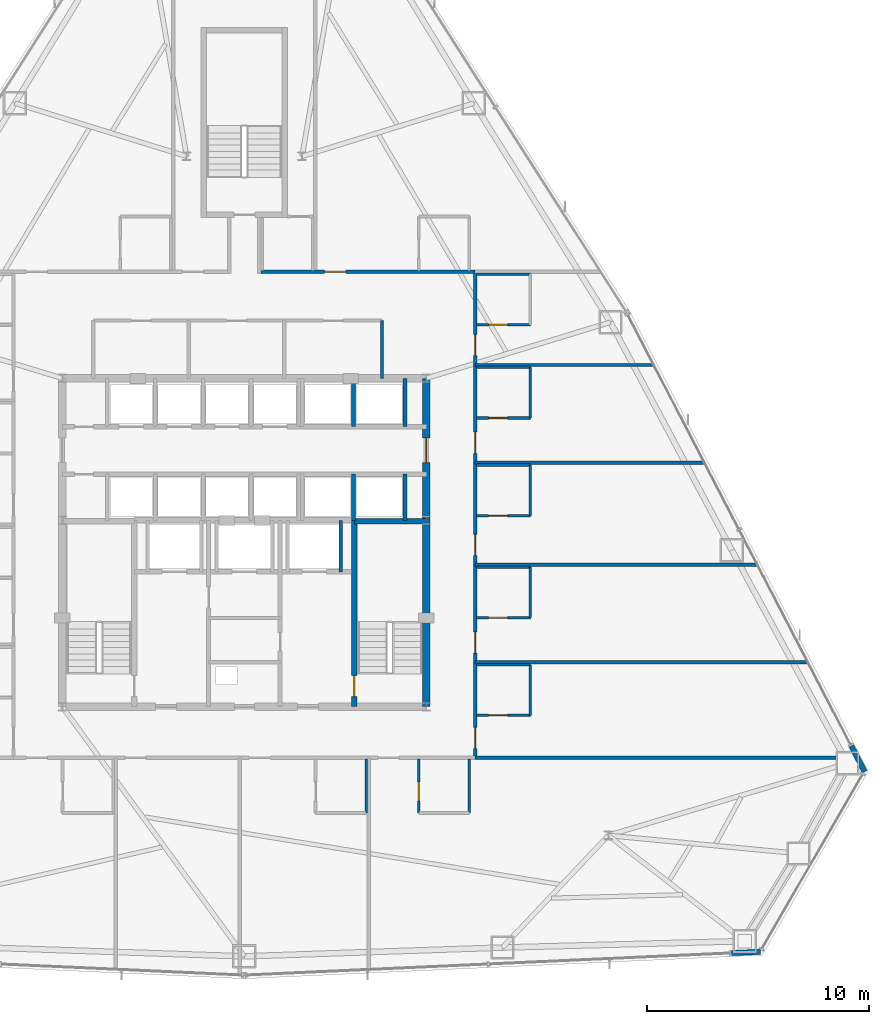
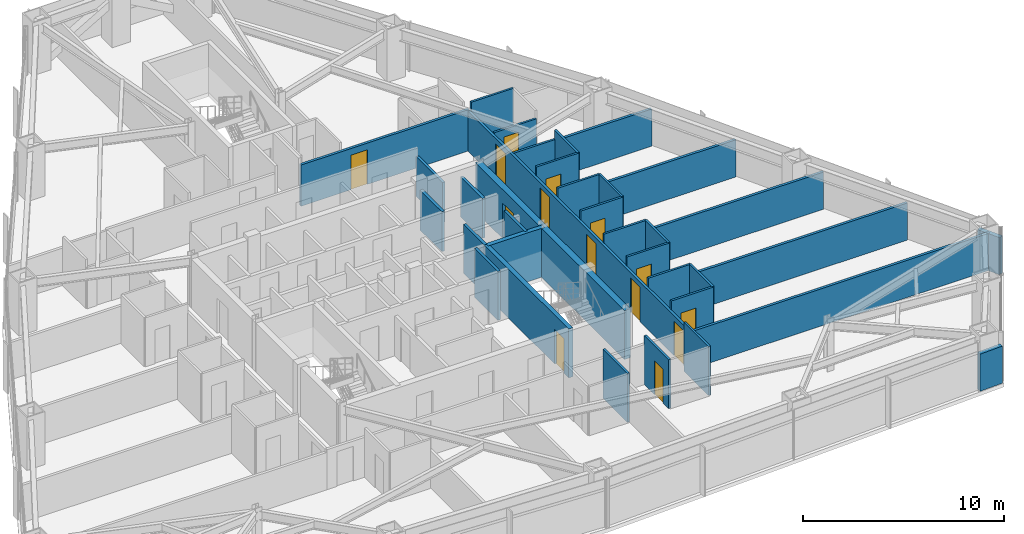
# One storey, part 11 of 13: 35 walls, 14 doors, 14 openings.
"""IFC4 building model written with IfcOpenShell, lengths in metres."""

from ifc_helpers import new_model, si_unit, direction, frame, frame_2d, origin, place, context, subcontext, project, spatial, rectangle, extrude, material, layer, layer_set, type_object, element, fill, save


model = new_model("IFC4")

# Units and contexts
model_context = context("Model", 3, precision=1e-05, world=origin(), true_north=direction((0.0, 1.0)))
body_context = subcontext(model_context, "Body", "Model", "MODEL_VIEW")
ifc_project = project(units=[si_unit("LENGTHUNIT", "METRE"), si_unit("AREAUNIT", "SQUARE_METRE"), si_unit("VOLUMEUNIT", "CUBIC_METRE"), si_unit("PLANEANGLEUNIT", "RADIAN"), si_unit("MASSUNIT", "GRAM", prefix="KILO")], contexts=[model_context])

# Site, building, storey
site_placement = place(None, origin())
site = spatial("IfcSite", under=ifc_project, at=site_placement, CompositionType="ELEMENT")
building_placement = place(site_placement, origin())
building = spatial("IfcBuilding", under=site, at=building_placement, Name="Varakhsha Concourse Tower", CompositionType="ELEMENT")
storey_placement = place(building_placement, frame((0.0, 0.0, 86.199951171875)))
storey = spatial("IfcBuildingStorey", under=building, at=storey_placement, Name="L24", CompositionType="ELEMENT", Elevation=86.199951171875)

# Wall, opening, door
ifc_material_1 = material(Name="Concrete fc 65 MPa", Category="concrete")
ifc_layer_1 = layer(ifc_material_1, 0.35009765625, Name="WL-CORE-350")
ifc_layer_set_1 = layer_set([ifc_layer_1], Name="Concrete fc 65 MPa")
wall_type_1 = type_object("IfcWallType", Name="WL-CORE-350", PredefinedType="SHEAR", material=ifc_layer_set_1)
wall_1_placement = place(storey_placement, frame((48.199951171875, 16.39990234375, 0.0), z_axis=(0.0, 0.0, 1.0), x_axis=(0.0, 1.0, 0.0)))
wall_1 = element("IfcWall", 1, at=wall_1_placement, inside=storey, type_object=wall_type_1, Name="L24 Wall CWALL-E-L24", PredefinedType="SHEAR", context=body_context, shape_type="SweptSolid", body=[
    extrude(rectangle(XDim=14.800048828125, YDim=0.35009765625, at=frame_2d((7.39990234375, 0.0))), origin(), (0.0, 0.0, 1.0), 2.969970703125),
])
opening_1_placement = place(wall_1_placement, frame((11.0, 0.0, 0.0)))
opening_1 = element("IfcOpeningElement", 2, at=opening_1_placement, cuts=wall_1, Name="Opening DL-01", PredefinedType="OPENING", context=body_context, shape_type="SweptSolid", body=[
    extrude(rectangle(XDim=1.10009765625, YDim=2.14990234375, at=frame_2d((0.550048828125, 1.074951171875))), frame((0.0, 0.18505859375, 0.0), z_axis=(0.0, -1.0, 0.0), x_axis=(1.0, 0.0, 0.0)), (0.0, 0.0, 1.0), 0.3701171875),
])
ifc_material_2 = material(Name="Anodised Bronze Architectural Aluminium AA 6063-T6", Category="aluminium")
door_type_1 = type_object("IfcDoorType", Name="DR-LOB-1100", OperationType="NOTDEFINED", PredefinedType="DOOR", material=ifc_material_2)
door_1_placement = place(opening_1_placement, origin())
door_1 = element("IfcDoor", 3, at=door_1_placement, inside=storey, type_object=door_type_1, Name="L24 Lift Lobby East Concourse Door", OperationType="SINGLE_SWING_RIGHT", OverallHeight=2.14990234375, OverallWidth=1.10009765625, PredefinedType="DOOR", context=body_context, shape_type="SweptSolid", body=[
    extrude(rectangle(XDim=1.10009765625, YDim=2.14990234375, at=frame_2d((0.550048828125, 1.074951171875))), frame((0.0, 0.02490234375, 0.0), z_axis=(0.0, -1.0, 0.0), x_axis=(1.0, 0.0, 0.0)), (0.0, 0.0, 1.0), 0.050048828125),
])
fill(opening_1, door_1)

# Walls
ifc_material_3 = material(Name="Concrete fc 45 MPa", Category="concrete")
ifc_layer_2 = layer(ifc_material_3, 0.239990234375, Name="WL-EXT-CRN-240")
ifc_layer_set_2 = layer_set([ifc_layer_2], Name="Concrete fc 45 MPa")
wall_type_2 = type_object("IfcWallType", Name="WL-EXT-CRN-240", PredefinedType="SHEAR", material=ifc_layer_set_2)
wall_2_placement = place(storey_placement, frame((61.94921875, 5.297119140625, 0.0), z_axis=(0.0, 0.0, 1.0), x_axis=(0.998967392838, 0.045432896092, 0.0)))
element("IfcWall", 4, at=wall_2_placement, inside=storey, type_object=wall_type_2, Name="L24 Wind-Corner Shoulder Wall F6", PredefinedType="SHEAR", context=body_context, shape_type="SweptSolid", body=[
    extrude(rectangle(XDim=1.316650390625, YDim=0.239990234375, at=frame_2d((0.658203125, 0.0))), origin(), (0.0, 0.0, 1.0), 2.2529296875),
])
wall_3_placement = place(storey_placement, frame((67.951416015625, 13.47314453125, 0.0), z_axis=(0.0, 0.0, 1.0), x_axis=(-0.460138651144, 0.887847071135, 0.0)))
element("IfcWall", 5, at=wall_3_placement, inside=storey, type_object=wall_type_2, Name="L24 Wind-Corner Shoulder Wall F8", PredefinedType="SHEAR", context=body_context, shape_type="SweptSolid", body=[
    extrude(rectangle(XDim=1.3173828125, YDim=0.239990234375, at=frame_2d((0.65869140625, 0.0))), origin(), (0.0, 0.0, 1.0), 2.2529296875),
])
ifc_material_4 = material(Name="Acoustic Gypsum Board Partition Assembly", Category="gypsum")
ifc_layer_3 = layer(ifc_material_4, 0.1201171875, Name="WL-PART-120")
ifc_layer_set_3 = layer_set([ifc_layer_3], Name="Acoustic Gypsum Board Partition Assembly")
wall_type_3 = type_object("IfcWallType", Name="WL-PART-120", PredefinedType="PARTITIONING", material=ifc_layer_set_3)
wall_4_placement = place(storey_placement, frame((45.489990234375, 11.610107421875, 0.0), z_axis=(0.0, 0.0, 1.0), x_axis=(0.0, 1.0, 0.0)))
element("IfcWall", 6, at=wall_4_placement, inside=storey, type_object=wall_type_3, Name="L24 Wall ENSW-E-L24-H03", PredefinedType="PARTITIONING", context=body_context, shape_type="SweptSolid", body=[
    extrude(rectangle(XDim=2.429931640625, YDim=0.1201171875, at=frame_2d((1.21484375, 0.0))), origin(), (0.0, 0.0, 1.0), 2.969970703125),
])

# Wall, opening, door
wall_5_placement = place(storey_placement, frame((47.860107421875, 11.610107421875, 0.0), z_axis=(0.0, 0.0, 1.0), x_axis=(0.0, 1.0, 0.0)))
wall_5 = element("IfcWall", 7, at=wall_5_placement, inside=storey, type_object=wall_type_3, Name="L24 Wall ENSW-W-L24-H04", PredefinedType="PARTITIONING", context=body_context, shape_type="SweptSolid", body=[
    extrude(rectangle(XDim=2.429931640625, YDim=0.1201171875, at=frame_2d((1.21484375, 0.0))), origin(), (0.0, 0.0, 1.0), 2.969970703125),
])
opening_2_placement = place(wall_5_placement, frame((0.550048828125, 0.0, 0.0)))
opening_2 = element("IfcOpeningElement", 8, at=opening_2_placement, cuts=wall_5, Name="Opening DI-01", PredefinedType="OPENING", context=body_context, shape_type="SweptSolid", body=[
    extrude(rectangle(XDim=0.85009765625, YDim=2.050048828125, at=frame_2d((0.425048828125, 1.02490234375))), frame((0.0, 0.070068359375, 0.0), z_axis=(0.0, -1.0, 0.0), x_axis=(1.0, 0.0, 0.0)), (0.0, 0.0, 1.0), 0.14013671875),
])
ifc_material_5 = material(Name="Architectural Walnut Acoustic Timber Door", Category="wood")
door_type_2 = type_object("IfcDoorType", Name="DR-INT-850", OperationType="NOTDEFINED", PredefinedType="DOOR", material=ifc_material_5)
door_2_placement = place(opening_2_placement, origin())
door_2 = element("IfcDoor", 9, at=door_2_placement, inside=storey, type_object=door_type_2, Name="L24 En-suite Bathroom Door L24-H04", OperationType="SINGLE_SWING_RIGHT", OverallHeight=2.050048828125, OverallWidth=0.85009765625, PredefinedType="DOOR", context=body_context, shape_type="SweptSolid", body=[
    extrude(rectangle(XDim=0.85009765625, YDim=2.050048828125, at=frame_2d((0.425048828125, 1.02490234375))), frame((0.0, 0.02490234375, 0.0), z_axis=(0.0, -1.0, 0.0), x_axis=(1.0, 0.0, 0.0)), (0.0, 0.0, 1.0), 0.050048828125),
])
fill(opening_2, door_2)

# Walls
wall_6_placement = place(storey_placement, frame((50.139892578125, 11.610107421875, 0.0), z_axis=(0.0, 0.0, 1.0), x_axis=(0.0, 1.0, 0.0)))
element("IfcWall", 10, at=wall_6_placement, inside=storey, type_object=wall_type_3, Name="L24 Wall ENSW-E-L24-H04", PredefinedType="PARTITIONING", context=body_context, shape_type="SweptSolid", body=[
    extrude(rectangle(XDim=2.429931640625, YDim=0.1201171875, at=frame_2d((1.21484375, 0.0))), origin(), (0.0, 0.0, 1.0), 2.969970703125),
])
wall_7_placement = place(storey_placement, frame((52.889892578125, 16.010009765625, 0.0), z_axis=(0.0, 0.0, 1.0), x_axis=(0.0, 1.0, 0.0)))
element("IfcWall", 11, at=wall_7_placement, inside=storey, type_object=wall_type_3, Name="L24 Wall ENSW-E-L24-H09", PredefinedType="PARTITIONING", context=body_context, shape_type="SweptSolid", body=[
    extrude(rectangle(XDim=2.280029296875, YDim=0.1201171875, at=frame_2d((1.14013671875, 0.0))), origin(), (0.0, 0.0, 1.0), 2.969970703125),
])

# Wall, opening, door
wall_8_placement = place(storey_placement, frame((50.4599609375, 16.010009765625, 0.0), z_axis=(0.0, 0.0, 1.0), x_axis=(1.0, 0.0, 0.0)))
wall_8 = element("IfcWall", 12, at=wall_8_placement, inside=storey, type_object=wall_type_3, Name="L24 Wall ENSW-S-L24-H09", PredefinedType="PARTITIONING", context=body_context, shape_type="SweptSolid", body=[
    extrude(rectangle(XDim=2.429931640625, YDim=0.1201171875, at=frame_2d((1.21484375, 0.0))), origin(), (0.0, 0.0, 1.0), 2.969970703125),
])
opening_3_placement = place(wall_8_placement, frame((0.550048828125, 0.0, 0.0)))
opening_3 = element("IfcOpeningElement", 13, at=opening_3_placement, cuts=wall_8, Name="Opening DI-01", PredefinedType="OPENING", context=body_context, shape_type="SweptSolid", body=[
    extrude(rectangle(XDim=0.85009765625, YDim=2.050048828125, at=frame_2d((0.425048828125, 1.02490234375))), frame((0.0, 0.070068359375, 0.0), z_axis=(0.0, -1.0, 0.0), x_axis=(1.0, 0.0, 0.0)), (0.0, 0.0, 1.0), 0.14013671875),
])
door_3_placement = place(opening_3_placement, origin())
door_3 = element("IfcDoor", 14, at=door_3_placement, inside=storey, type_object=door_type_2, Name="L24 En-suite Bathroom Door L24-H09", OperationType="SINGLE_SWING_RIGHT", OverallHeight=2.050048828125, OverallWidth=0.85009765625, PredefinedType="DOOR", context=body_context, shape_type="SweptSolid", body=[
    extrude(rectangle(XDim=0.85009765625, YDim=2.050048828125, at=frame_2d((0.425048828125, 1.02490234375))), frame((0.0, 0.02490234375, 0.0), z_axis=(0.0, -1.0, 0.0), x_axis=(1.0, 0.0, 0.0)), (0.0, 0.0, 1.0), 0.050048828125),
])
fill(opening_3, door_3)

# Walls
wall_9_placement = place(storey_placement, frame((50.4599609375, 18.2900390625, 0.0), z_axis=(0.0, 0.0, 1.0), x_axis=(1.0, 0.0, 0.0)))
element("IfcWall", 15, at=wall_9_placement, inside=storey, type_object=wall_type_3, Name="L24 Wall ENSW-N-L24-H09", PredefinedType="PARTITIONING", context=body_context, shape_type="SweptSolid", body=[
    extrude(rectangle(XDim=2.429931640625, YDim=0.1201171875, at=frame_2d((1.21484375, 0.0))), origin(), (0.0, 0.0, 1.0), 2.969970703125),
])
wall_10_placement = place(storey_placement, frame((52.889892578125, 20.409912109375, 0.0), z_axis=(0.0, 0.0, 1.0), x_axis=(0.0, 1.0, 0.0)))
element("IfcWall", 16, at=wall_10_placement, inside=storey, type_object=wall_type_3, Name="L24 Wall ENSW-E-L24-H10", PredefinedType="PARTITIONING", context=body_context, shape_type="SweptSolid", body=[
    extrude(rectangle(XDim=2.280029296875, YDim=0.1201171875, at=frame_2d((1.14013671875, 0.0))), origin(), (0.0, 0.0, 1.0), 2.969970703125),
])

# Wall, opening, door
wall_11_placement = place(storey_placement, frame((50.4599609375, 20.409912109375, 0.0), z_axis=(0.0, 0.0, 1.0), x_axis=(1.0, 0.0, 0.0)))
wall_11 = element("IfcWall", 17, at=wall_11_placement, inside=storey, type_object=wall_type_3, Name="L24 Wall ENSW-S-L24-H10", PredefinedType="PARTITIONING", context=body_context, shape_type="SweptSolid", body=[
    extrude(rectangle(XDim=2.429931640625, YDim=0.1201171875, at=frame_2d((1.21484375, 0.0))), origin(), (0.0, 0.0, 1.0), 2.969970703125),
])
opening_4_placement = place(wall_11_placement, frame((0.550048828125, 0.0, 0.0)))
opening_4 = element("IfcOpeningElement", 18, at=opening_4_placement, cuts=wall_11, Name="Opening DI-01", PredefinedType="OPENING", context=body_context, shape_type="SweptSolid", body=[
    extrude(rectangle(XDim=0.85009765625, YDim=2.050048828125, at=frame_2d((0.425048828125, 1.02490234375))), frame((0.0, 0.070068359375, 0.0), z_axis=(0.0, -1.0, 0.0), x_axis=(1.0, 0.0, 0.0)), (0.0, 0.0, 1.0), 0.14013671875),
])
door_4_placement = place(opening_4_placement, origin())
door_4 = element("IfcDoor", 19, at=door_4_placement, inside=storey, type_object=door_type_2, Name="L24 En-suite Bathroom Door L24-H10", OperationType="SINGLE_SWING_RIGHT", OverallHeight=2.050048828125, OverallWidth=0.85009765625, PredefinedType="DOOR", context=body_context, shape_type="SweptSolid", body=[
    extrude(rectangle(XDim=0.85009765625, YDim=2.050048828125, at=frame_2d((0.425048828125, 1.02490234375))), frame((0.0, 0.02490234375, 0.0), z_axis=(0.0, -1.0, 0.0), x_axis=(1.0, 0.0, 0.0)), (0.0, 0.0, 1.0), 0.050048828125),
])
fill(opening_4, door_4)

# Walls
wall_12_placement = place(storey_placement, frame((50.4599609375, 22.68994140625, 0.0), z_axis=(0.0, 0.0, 1.0), x_axis=(1.0, 0.0, 0.0)))
element("IfcWall", 20, at=wall_12_placement, inside=storey, type_object=wall_type_3, Name="L24 Wall ENSW-N-L24-H10", PredefinedType="PARTITIONING", context=body_context, shape_type="SweptSolid", body=[
    extrude(rectangle(XDim=2.429931640625, YDim=0.1201171875, at=frame_2d((1.21484375, 0.0))), origin(), (0.0, 0.0, 1.0), 2.969970703125),
])
wall_13_placement = place(storey_placement, frame((52.889892578125, 25.010009765625, 0.0), z_axis=(0.0, 0.0, 1.0), x_axis=(0.0, 1.0, 0.0)))
element("IfcWall", 21, at=wall_13_placement, inside=storey, type_object=wall_type_3, Name="L24 Wall ENSW-E-L24-H11", PredefinedType="PARTITIONING", context=body_context, shape_type="SweptSolid", body=[
    extrude(rectangle(XDim=2.280029296875, YDim=0.1201171875, at=frame_2d((1.14013671875, 0.0))), origin(), (0.0, 0.0, 1.0), 2.969970703125),
])

# Wall, opening, door
wall_14_placement = place(storey_placement, frame((50.4599609375, 25.010009765625, 0.0), z_axis=(0.0, 0.0, 1.0), x_axis=(1.0, 0.0, 0.0)))
wall_14 = element("IfcWall", 22, at=wall_14_placement, inside=storey, type_object=wall_type_3, Name="L24 Wall ENSW-S-L24-H11", PredefinedType="PARTITIONING", context=body_context, shape_type="SweptSolid", body=[
    extrude(rectangle(XDim=2.429931640625, YDim=0.1201171875, at=frame_2d((1.21484375, 0.0))), origin(), (0.0, 0.0, 1.0), 2.969970703125),
])
opening_5_placement = place(wall_14_placement, frame((0.550048828125, 0.0, 0.0)))
opening_5 = element("IfcOpeningElement", 23, at=opening_5_placement, cuts=wall_14, Name="Opening DI-01", PredefinedType="OPENING", context=body_context, shape_type="SweptSolid", body=[
    extrude(rectangle(XDim=0.85009765625, YDim=2.050048828125, at=frame_2d((0.425048828125, 1.02490234375))), frame((0.0, 0.070068359375, 0.0), z_axis=(0.0, -1.0, 0.0), x_axis=(1.0, 0.0, 0.0)), (0.0, 0.0, 1.0), 0.14013671875),
])
door_5_placement = place(opening_5_placement, origin())
door_5 = element("IfcDoor", 24, at=door_5_placement, inside=storey, type_object=door_type_2, Name="L24 En-suite Bathroom Door L24-H11", OperationType="SINGLE_SWING_RIGHT", OverallHeight=2.050048828125, OverallWidth=0.85009765625, PredefinedType="DOOR", context=body_context, shape_type="SweptSolid", body=[
    extrude(rectangle(XDim=0.85009765625, YDim=2.050048828125, at=frame_2d((0.425048828125, 1.02490234375))), frame((0.0, 0.02490234375, 0.0), z_axis=(0.0, -1.0, 0.0), x_axis=(1.0, 0.0, 0.0)), (0.0, 0.0, 1.0), 0.050048828125),
])
fill(opening_5, door_5)

# Walls
wall_15_placement = place(storey_placement, frame((50.4599609375, 27.2900390625, 0.0), z_axis=(0.0, 0.0, 1.0), x_axis=(1.0, 0.0, 0.0)))
element("IfcWall", 25, at=wall_15_placement, inside=storey, type_object=wall_type_3, Name="L24 Wall ENSW-N-L24-H11", PredefinedType="PARTITIONING", context=body_context, shape_type="SweptSolid", body=[
    extrude(rectangle(XDim=2.429931640625, YDim=0.1201171875, at=frame_2d((1.21484375, 0.0))), origin(), (0.0, 0.0, 1.0), 2.969970703125),
])
wall_16_placement = place(storey_placement, frame((52.889892578125, 29.409912109375, 0.0), z_axis=(0.0, 0.0, 1.0), x_axis=(0.0, 1.0, 0.0)))
element("IfcWall", 26, at=wall_16_placement, inside=storey, type_object=wall_type_3, Name="L24 Wall ENSW-E-L24-H12", PredefinedType="PARTITIONING", context=body_context, shape_type="SweptSolid", body=[
    extrude(rectangle(XDim=2.280029296875, YDim=0.1201171875, at=frame_2d((1.14013671875, 0.0))), origin(), (0.0, 0.0, 1.0), 2.969970703125),
])

# Wall, opening, door
wall_17_placement = place(storey_placement, frame((50.4599609375, 29.409912109375, 0.0), z_axis=(0.0, 0.0, 1.0), x_axis=(1.0, 0.0, 0.0)))
wall_17 = element("IfcWall", 27, at=wall_17_placement, inside=storey, type_object=wall_type_3, Name="L24 Wall ENSW-S-L24-H12", PredefinedType="PARTITIONING", context=body_context, shape_type="SweptSolid", body=[
    extrude(rectangle(XDim=2.429931640625, YDim=0.1201171875, at=frame_2d((1.21484375, 0.0))), origin(), (0.0, 0.0, 1.0), 2.969970703125),
])
opening_6_placement = place(wall_17_placement, frame((0.550048828125, 0.0, 0.0)))
opening_6 = element("IfcOpeningElement", 28, at=opening_6_placement, cuts=wall_17, Name="Opening DI-01", PredefinedType="OPENING", context=body_context, shape_type="SweptSolid", body=[
    extrude(rectangle(XDim=0.85009765625, YDim=2.050048828125, at=frame_2d((0.425048828125, 1.02490234375))), frame((0.0, 0.070068359375, 0.0), z_axis=(0.0, -1.0, 0.0), x_axis=(1.0, 0.0, 0.0)), (0.0, 0.0, 1.0), 0.14013671875),
])
door_6_placement = place(opening_6_placement, origin())
door_6 = element("IfcDoor", 29, at=door_6_placement, inside=storey, type_object=door_type_2, Name="L24 En-suite Bathroom Door L24-H12", OperationType="SINGLE_SWING_RIGHT", OverallHeight=2.050048828125, OverallWidth=0.85009765625, PredefinedType="DOOR", context=body_context, shape_type="SweptSolid", body=[
    extrude(rectangle(XDim=0.85009765625, YDim=2.050048828125, at=frame_2d((0.425048828125, 1.02490234375))), frame((0.0, 0.02490234375, 0.0), z_axis=(0.0, -1.0, 0.0), x_axis=(1.0, 0.0, 0.0)), (0.0, 0.0, 1.0), 0.050048828125),
])
fill(opening_6, door_6)

# Wall
wall_18_placement = place(storey_placement, frame((50.4599609375, 31.68994140625, 0.0), z_axis=(0.0, 0.0, 1.0), x_axis=(1.0, 0.0, 0.0)))
element("IfcWall", 30, at=wall_18_placement, inside=storey, type_object=wall_type_3, Name="L24 Wall ENSW-N-L24-H12", PredefinedType="PARTITIONING", context=body_context, shape_type="SweptSolid", body=[
    extrude(rectangle(XDim=2.429931640625, YDim=0.1201171875, at=frame_2d((1.21484375, 0.0))), origin(), (0.0, 0.0, 1.0), 2.421142578125),
])

# Wall, opening, door
wall_19_placement = place(storey_placement, frame((50.4599609375, 33.610107421875, 0.0), z_axis=(0.0, 0.0, 1.0), x_axis=(1.0, 0.0, 0.0)))
wall_19 = element("IfcWall", 31, at=wall_19_placement, inside=storey, type_object=wall_type_3, Name="L24 Wall ENSW-S-L24-H13", PredefinedType="PARTITIONING", context=body_context, shape_type="SweptSolid", body=[
    extrude(rectangle(XDim=2.429931640625, YDim=0.1201171875, at=frame_2d((1.21484375, 0.0))), origin(), (0.0, 0.0, 1.0), 2.5029296875),
])
opening_7_placement = place(wall_19_placement, frame((0.550048828125, 0.0, 0.0)))
opening_7 = element("IfcOpeningElement", 32, at=opening_7_placement, cuts=wall_19, Name="Opening DI-01", PredefinedType="OPENING", context=body_context, shape_type="SweptSolid", body=[
    extrude(rectangle(XDim=0.85009765625, YDim=2.050048828125, at=frame_2d((0.425048828125, 1.02490234375))), frame((0.0, 0.070068359375, 0.0), z_axis=(0.0, -1.0, 0.0), x_axis=(1.0, 0.0, 0.0)), (0.0, 0.0, 1.0), 0.14013671875),
])
door_7_placement = place(opening_7_placement, origin())
door_7 = element("IfcDoor", 33, at=door_7_placement, inside=storey, type_object=door_type_2, Name="L24 En-suite Bathroom Door L24-H13", OperationType="SINGLE_SWING_RIGHT", OverallHeight=2.050048828125, OverallWidth=0.85009765625, PredefinedType="DOOR", context=body_context, shape_type="SweptSolid", body=[
    extrude(rectangle(XDim=0.85009765625, YDim=2.050048828125, at=frame_2d((0.425048828125, 1.02490234375))), frame((0.0, 0.02490234375, 0.0), z_axis=(0.0, -1.0, 0.0), x_axis=(1.0, 0.0, 0.0)), (0.0, 0.0, 1.0), 0.050048828125),
])
fill(opening_7, door_7)

# Walls
wall_20_placement = place(storey_placement, frame((50.4599609375, 35.889892578125, 0.0), z_axis=(0.0, 0.0, 1.0), x_axis=(1.0, 0.0, 0.0)))
element("IfcWall", 34, at=wall_20_placement, inside=storey, type_object=wall_type_3, Name="L24 Wall ENSW-N-L24-H13", PredefinedType="PARTITIONING", context=body_context, shape_type="SweptSolid", body=[
    extrude(rectangle(XDim=2.429931640625, YDim=0.1201171875, at=frame_2d((1.21484375, 0.0))), origin(), (0.0, 0.0, 1.0), 2.969970703125),
])
ifc_material_6 = material(Name="Fire-Rated Type X Gypsum Partition Assembly", Category="gypsum")
ifc_layer_4 = layer(ifc_material_6, 0.14990234375, Name="WL-PART-150")
ifc_layer_set_4 = layer_set([ifc_layer_4], Name="Fire-Rated Type X Gypsum Partition Assembly")
wall_type_4 = type_object("IfcWallType", Name="WL-PART-150", PredefinedType="PARTITIONING", material=ifc_layer_set_4)
wall_21_placement = place(storey_placement, frame((46.199951171875, 31.199951171875, 0.0), z_axis=(0.0, 0.0, 1.0), x_axis=(0.0, 1.0, 0.0)))
element("IfcWall", 35, at=wall_21_placement, inside=storey, type_object=wall_type_4, Name="L24 Wall NBOH-E-L24", PredefinedType="PARTITIONING", context=body_context, shape_type="SweptSolid", body=[
    extrude(rectangle(XDim=2.60009765625, YDim=0.14990234375, at=frame_2d((1.300048828125, 0.0))), origin(), (0.0, 0.0, 1.0), 2.421142578125),
])

# Wall, opening, door
wall_22_placement = place(storey_placement, frame((40.75, 36.0, 0.0), z_axis=(0.0, 0.0, 1.0), x_axis=(1.0, 0.0, 0.0)))
wall_22 = element("IfcWall", 36, at=wall_22_placement, inside=storey, type_object=wall_type_4, Name="L24 Wall CRW-N-L24-B", PredefinedType="PARTITIONING", context=body_context, shape_type="SweptSolid", body=[
    extrude(rectangle(XDim=9.64990234375, YDim=0.14990234375, at=frame_2d((4.824951171875, 0.0))), origin(), (0.0, 0.0, 1.0), 2.5029296875),
])
opening_8_placement = place(wall_22_placement, frame((2.8701171875, 0.0, 0.0)))
opening_8 = element("IfcOpeningElement", 37, at=opening_8_placement, cuts=wall_22, Name="Opening DF-05", PredefinedType="OPENING", context=body_context, shape_type="SweptSolid", body=[
    extrude(rectangle(XDim=0.949951171875, YDim=2.10009765625, at=frame_2d((0.47509765625, 1.050048828125))), frame((0.0, 0.0849609375, 0.0), z_axis=(0.0, -1.0, 0.0), x_axis=(1.0, 0.0, 0.0)), (0.0, 0.0, 1.0), 0.169921875),
])
ifc_material_7 = material(Name="Hollow Galvanised Steel Fire Door Assembly", Category="steel")
door_type_3 = type_object("IfcDoorType", Name="DR-FD60-950", OperationType="NOTDEFINED", PredefinedType="DOOR", material=ifc_material_7)
door_8_placement = place(opening_8_placement, origin())
door_8 = element("IfcDoor", 38, at=door_8_placement, inside=storey, type_object=door_type_3, Name="L24 Hotel Corner Suite L24-H16 Entry Door", OperationType="SINGLE_SWING_RIGHT", OverallHeight=2.10009765625, OverallWidth=0.949951171875, PredefinedType="DOOR", context=body_context, shape_type="SweptSolid", body=[
    extrude(rectangle(XDim=0.949951171875, YDim=2.10009765625, at=frame_2d((0.47509765625, 1.050048828125))), frame((0.0, 0.02490234375, 0.0), z_axis=(0.0, -1.0, 0.0), x_axis=(1.0, 0.0, 0.0)), (0.0, 0.0, 1.0), 0.050048828125),
])
fill(opening_8, door_8)

# Wall, openings, doors
wall_23_placement = place(storey_placement, frame((50.39990234375, 14.10009765625, 0.0), z_axis=(0.0, 0.0, 1.0), x_axis=(0.0, 1.0, 0.0)))
wall_23 = element("IfcWall", 39, at=wall_23_placement, inside=storey, type_object=wall_type_4, Name="L24 Wall CRW-E-L24", PredefinedType="PARTITIONING", context=body_context, shape_type="SweptSolid", body=[
    extrude(rectangle(XDim=21.89990234375, YDim=0.14990234375, at=frame_2d((10.949951171875, 0.0))), origin(), (0.0, 0.0, 1.0), 2.421142578125),
])
opening_9_placement = place(wall_23_placement, frame((0.419921875, 0.0, 0.0)))
opening_9 = element("IfcOpeningElement", 40, at=opening_9_placement, cuts=wall_23, Name="Opening DF-05", PredefinedType="OPENING", context=body_context, shape_type="SweptSolid", body=[
    extrude(rectangle(XDim=0.949951171875, YDim=2.10009765625, at=frame_2d((0.47509765625, 1.050048828125))), frame((0.0, 0.0849609375, 0.0), z_axis=(0.0, -1.0, 0.0), x_axis=(1.0, 0.0, 0.0)), (0.0, 0.0, 1.0), 0.169921875),
])
opening_10_placement = place(wall_23_placement, frame((4.719970703125, 0.0, 0.0)))
opening_10 = element("IfcOpeningElement", 41, at=opening_10_placement, cuts=wall_23, Name="Opening DF-05", PredefinedType="OPENING", context=body_context, shape_type="SweptSolid", body=[
    extrude(rectangle(XDim=0.949951171875, YDim=2.10009765625, at=frame_2d((0.47509765625, 1.050048828125))), frame((0.0, 0.0849609375, 0.0), z_axis=(0.0, -1.0, 0.0), x_axis=(1.0, 0.0, 0.0)), (0.0, 0.0, 1.0), 0.169921875),
])
opening_11_placement = place(wall_23_placement, frame((9.1201171875, 0.0, 0.0)))
opening_11 = element("IfcOpeningElement", 42, at=opening_11_placement, cuts=wall_23, Name="Opening DF-05", PredefinedType="OPENING", context=body_context, shape_type="SweptSolid", body=[
    extrude(rectangle(XDim=0.949951171875, YDim=2.10009765625, at=frame_2d((0.47509765625, 1.050048828125))), frame((0.0, 0.0849609375, 0.0), z_axis=(0.0, -1.0, 0.0), x_axis=(1.0, 0.0, 0.0)), (0.0, 0.0, 1.0), 0.169921875),
])
opening_12_placement = place(wall_23_placement, frame((13.719970703125, 0.0, 0.0)))
opening_12 = element("IfcOpeningElement", 43, at=opening_12_placement, cuts=wall_23, Name="Opening DF-05", PredefinedType="OPENING", context=body_context, shape_type="SweptSolid", body=[
    extrude(rectangle(XDim=0.949951171875, YDim=2.10009765625, at=frame_2d((0.47509765625, 1.050048828125))), frame((0.0, 0.0849609375, 0.0), z_axis=(0.0, -1.0, 0.0), x_axis=(1.0, 0.0, 0.0)), (0.0, 0.0, 1.0), 0.169921875),
])
opening_13_placement = place(wall_23_placement, frame((18.1201171875, 0.0, 0.0)))
opening_13 = element("IfcOpeningElement", 44, at=opening_13_placement, cuts=wall_23, Name="Opening DF-05", PredefinedType="OPENING", context=body_context, shape_type="SweptSolid", body=[
    extrude(rectangle(XDim=0.949951171875, YDim=2.10009765625, at=frame_2d((0.47509765625, 1.050048828125))), frame((0.0, 0.0849609375, 0.0), z_axis=(0.0, -1.0, 0.0), x_axis=(1.0, 0.0, 0.0)), (0.0, 0.0, 1.0), 0.169921875),
])
door_9_placement = place(opening_9_placement, origin())
door_9 = element("IfcDoor", 45, at=door_9_placement, inside=storey, type_object=door_type_3, Name="L24 Hotel Corner Suite L24-H09 Entry Door", OperationType="SINGLE_SWING_LEFT", OverallHeight=2.10009765625, OverallWidth=0.949951171875, PredefinedType="DOOR", context=body_context, shape_type="SweptSolid", body=[
    extrude(rectangle(XDim=0.949951171875, YDim=2.10009765625, at=frame_2d((0.47509765625, 1.050048828125))), frame((0.0, 0.02490234375, 0.0), z_axis=(0.0, -1.0, 0.0), x_axis=(1.0, 0.0, 0.0)), (0.0, 0.0, 1.0), 0.050048828125),
])
fill(opening_9, door_9)
door_10_placement = place(opening_10_placement, origin())
door_10 = element("IfcDoor", 46, at=door_10_placement, inside=storey, type_object=door_type_3, Name="L24 Hotel Corner Suite L24-H10 Entry Door", OperationType="SINGLE_SWING_RIGHT", OverallHeight=2.10009765625, OverallWidth=0.949951171875, PredefinedType="DOOR", context=body_context, shape_type="SweptSolid", body=[
    extrude(rectangle(XDim=0.949951171875, YDim=2.10009765625, at=frame_2d((0.47509765625, 1.050048828125))), frame((0.0, 0.02490234375, 0.0), z_axis=(0.0, -1.0, 0.0), x_axis=(1.0, 0.0, 0.0)), (0.0, 0.0, 1.0), 0.050048828125),
])
fill(opening_10, door_10)
door_11_placement = place(opening_11_placement, origin())
door_11 = element("IfcDoor", 47, at=door_11_placement, inside=storey, type_object=door_type_3, Name="L24 Hotel Corner Suite L24-H11 Entry Door", OperationType="SINGLE_SWING_LEFT", OverallHeight=2.10009765625, OverallWidth=0.949951171875, PredefinedType="DOOR", context=body_context, shape_type="SweptSolid", body=[
    extrude(rectangle(XDim=0.949951171875, YDim=2.10009765625, at=frame_2d((0.47509765625, 1.050048828125))), frame((0.0, 0.02490234375, 0.0), z_axis=(0.0, -1.0, 0.0), x_axis=(1.0, 0.0, 0.0)), (0.0, 0.0, 1.0), 0.050048828125),
])
fill(opening_11, door_11)
door_12_placement = place(opening_12_placement, origin())
door_12 = element("IfcDoor", 48, at=door_12_placement, inside=storey, type_object=door_type_3, Name="L24 Hotel Guest Room L24-H12 Entry Door", OperationType="SINGLE_SWING_RIGHT", OverallHeight=2.10009765625, OverallWidth=0.949951171875, PredefinedType="DOOR", context=body_context, shape_type="SweptSolid", body=[
    extrude(rectangle(XDim=0.949951171875, YDim=2.10009765625, at=frame_2d((0.47509765625, 1.050048828125))), frame((0.0, 0.02490234375, 0.0), z_axis=(0.0, -1.0, 0.0), x_axis=(1.0, 0.0, 0.0)), (0.0, 0.0, 1.0), 0.050048828125),
])
fill(opening_12, door_12)
door_13_placement = place(opening_13_placement, origin())
door_13 = element("IfcDoor", 49, at=door_13_placement, inside=storey, type_object=door_type_3, Name="L24 Hotel Guest Room L24-H13 Entry Door", OperationType="SINGLE_SWING_LEFT", OverallHeight=2.10009765625, OverallWidth=0.949951171875, PredefinedType="DOOR", context=body_context, shape_type="SweptSolid", body=[
    extrude(rectangle(XDim=0.949951171875, YDim=2.10009765625, at=frame_2d((0.47509765625, 1.050048828125))), frame((0.0, 0.02490234375, 0.0), z_axis=(0.0, -1.0, 0.0), x_axis=(1.0, 0.0, 0.0)), (0.0, 0.0, 1.0), 0.050048828125),
])
fill(opening_13, door_13)

# Walls
wall_24_placement = place(storey_placement, frame((50.39990234375, 14.10009765625, 0.0), z_axis=(0.0, 0.0, 1.0), x_axis=(1.0, 0.0, 0.0)))
element("IfcWall", 50, at=wall_24_placement, inside=storey, type_object=wall_type_4, Name="L24 Wall HDIV-EB0-L24", PredefinedType="PARTITIONING", context=body_context, shape_type="SweptSolid", body=[
    extrude(rectangle(XDim=17.220947265625, YDim=0.14990234375, at=frame_2d((8.6103515625, 0.0))), origin(), (0.0, 0.0, 1.0), 2.258056640625),
])
wall_25_placement = place(storey_placement, frame((50.39990234375, 18.39990234375, 0.0), z_axis=(0.0, 0.0, 1.0), x_axis=(1.0, 0.0, 0.0)))
element("IfcWall", 51, at=wall_25_placement, inside=storey, type_object=wall_type_4, Name="L24 Wall HDIV-E1-L24", PredefinedType="PARTITIONING", context=body_context, shape_type="SweptSolid", body=[
    extrude(rectangle(XDim=14.9921875, YDim=0.14990234375, at=frame_2d((7.49609375, 0.0))), origin(), (0.0, 0.0, 1.0), 2.258056640625),
])
wall_26_placement = place(storey_placement, frame((50.39990234375, 22.800048828125, 0.0), z_axis=(0.0, 0.0, 1.0), x_axis=(1.0, 0.0, 0.0)))
element("IfcWall", 52, at=wall_26_placement, inside=storey, type_object=wall_type_4, Name="L24 Wall HDIV-E2-L24", PredefinedType="PARTITIONING", context=body_context, shape_type="SweptSolid", body=[
    extrude(rectangle(XDim=12.71142578125, YDim=0.14990234375, at=frame_2d((6.355712890625, 0.0))), origin(), (0.0, 0.0, 1.0), 2.258056640625),
])
wall_27_placement = place(storey_placement, frame((50.39990234375, 27.39990234375, 0.0), z_axis=(0.0, 0.0, 1.0), x_axis=(1.0, 0.0, 0.0)))
element("IfcWall", 53, at=wall_27_placement, inside=storey, type_object=wall_type_4, Name="L24 Wall HDIV-E3-L24", PredefinedType="PARTITIONING", context=body_context, shape_type="SweptSolid", body=[
    extrude(rectangle(XDim=10.3271484375, YDim=0.14990234375, at=frame_2d((5.16357421875, 0.0))), origin(), (0.0, 0.0, 1.0), 2.258056640625),
])
wall_28_placement = place(storey_placement, frame((50.39990234375, 31.800048828125, 0.0), z_axis=(0.0, 0.0, 1.0), x_axis=(1.0, 0.0, 0.0)))
element("IfcWall", 54, at=wall_28_placement, inside=storey, type_object=wall_type_4, Name="L24 Wall HDIV-E4-L24", PredefinedType="PARTITIONING", context=body_context, shape_type="SweptSolid", body=[
    extrude(rectangle(XDim=8.04638671875, YDim=0.14990234375, at=frame_2d((4.023193359375, 0.0))), origin(), (0.0, 0.0, 1.0), 2.258056640625),
])
ifc_layer_5 = layer(ifc_material_6, 0.199951171875, Name="WL-SHAFT-220")
ifc_layer_set_5 = layer_set([ifc_layer_5], Name="Fire-Rated Type X Gypsum Partition Assembly")
wall_type_5 = type_object("IfcWallType", Name="WL-SHAFT-220", PredefinedType="SOLIDWALL", material=ifc_layer_set_5)
wall_29_placement = place(storey_placement, frame((44.35009765625, 22.47998046875, 0.0), z_axis=(0.0, 0.0, 1.0), x_axis=(0.0, 1.0, 0.0)))
element("IfcWall", 55, at=wall_29_placement, inside=storey, type_object=wall_type_5, Name="L24 Wall SHW-FFL-2-E-L24", PredefinedType="SOLIDWALL", context=body_context, shape_type="SweptSolid", body=[
    extrude(rectangle(XDim=2.320068359375, YDim=0.159912109375, at=frame_2d((1.16015625, 0.0))), origin(), (0.0, 0.0, 1.0), 2.969970703125),
])
for number, where, z_axis, x_axis, name in (
    (56, (44.919921875, 29.02001953125, 0.0), (0.0, 0.0, 1.0), (0.0, 1.0, 0.0), "L24 Wall SHW-LF-P09-E-L24"),
    (57, (47.239990234375, 29.02001953125, 0.0), (0.0, 0.0, 1.0), (0.0, 1.0, 0.0), "L24 Wall SHW-LF-P10-E-L24"),
):
    element("IfcWall", number, at=place(storey_placement, frame(where, z_axis=z_axis, x_axis=x_axis)), inside=storey, type_object=wall_type_5, Name=name, PredefinedType="SOLIDWALL", context=body_context, shape_type="SweptSolid", body=[
        extrude(rectangle(XDim=2.179931640625, YDim=0.159912109375, at=frame_2d((1.08984375, 0.0))), origin(), (0.0, 0.0, 1.0), 2.421142578125),
    ])
for number, where, z_axis, x_axis, name in (
    (58, (44.919921875, 24.800048828125, 0.0), (0.0, 0.0, 1.0), (0.0, 1.0, 0.0), "L24 Wall SHW-LF-P11-E-L24"),
    (59, (47.239990234375, 24.800048828125, 0.0), (0.0, 0.0, 1.0), (0.0, 1.0, 0.0), "L24 Wall SHW-LF-P12-E-L24"),
):
    element("IfcWall", number, at=place(storey_placement, frame(where, z_axis=z_axis, x_axis=x_axis)), inside=storey, type_object=wall_type_5, Name=name, PredefinedType="SOLIDWALL", context=body_context, shape_type="SweptSolid", body=[
        extrude(rectangle(XDim=2.079833984375, YDim=0.159912109375, at=frame_2d((1.0400390625, 0.0))), origin(), (0.0, 0.0, 1.0), 2.969970703125),
    ])

# Wall, opening, door
ifc_layer_6 = layer(ifc_material_3, 0.25, Name="WL-STAIR-250")
ifc_layer_set_6 = layer_set([ifc_layer_6], Name="Concrete fc 45 MPa")
wall_type_6 = type_object("IfcWallType", Name="WL-STAIR-250", PredefinedType="SHEAR", material=ifc_layer_set_6)
wall_30_placement = place(storey_placement, frame((44.955078125, 16.39990234375, 0.0), z_axis=(0.0, 0.0, 1.0), x_axis=(0.0, 1.0, 0.0)))
wall_30 = element("IfcWall", 60, at=wall_30_placement, inside=storey, type_object=wall_type_6, Name="L24 Wall SWALL-ST2-W-L24", PredefinedType="SHEAR", context=body_context, shape_type="SweptSolid", body=[
    extrude(rectangle(XDim=8.400146484375, YDim=0.25, at=frame_2d((4.2001953125, 0.0))), origin(), (0.0, 0.0, 1.0), 2.969970703125),
])
opening_14_placement = place(wall_30_placement, frame((0.449951171875, 0.0, 0.0)))
opening_14 = element("IfcOpeningElement", 61, at=opening_14_placement, cuts=wall_30, Name="Opening DF-03", PredefinedType="OPENING", context=body_context, shape_type="SweptSolid", body=[
    extrude(rectangle(XDim=0.949951171875, YDim=2.10009765625, at=frame_2d((0.47509765625, 1.050048828125))), frame((0.0, 0.135009765625, 0.0), z_axis=(0.0, -1.0, 0.0), x_axis=(1.0, 0.0, 0.0)), (0.0, 0.0, 1.0), 0.27001953125),
])
door_type_4 = type_object("IfcDoorType", Name="DR-FD90-950", OperationType="NOTDEFINED", PredefinedType="DOOR", material=ifc_material_7)
door_14_placement = place(opening_14_placement, origin())
door_14 = element("IfcDoor", 62, at=door_14_placement, inside=storey, type_object=door_type_4, Name="L24 Stair ST2 Fire Door", OperationType="SINGLE_SWING_RIGHT", OverallHeight=2.10009765625, OverallWidth=0.949951171875, PredefinedType="DOOR", context=body_context, shape_type="SweptSolid", body=[
    extrude(rectangle(XDim=0.949951171875, YDim=2.10009765625, at=frame_2d((0.47509765625, 1.050048828125))), frame((0.0, 0.02490234375, 0.0), z_axis=(0.0, -1.0, 0.0), x_axis=(1.0, 0.0, 0.0)), (0.0, 0.0, 1.0), 0.050048828125),
])
fill(opening_14, door_14)

# Wall
wall_31_placement = place(storey_placement, frame((44.955078125, 24.7548828125, 0.0), z_axis=(0.0, 0.0, 1.0), x_axis=(1.0, 0.0, 0.0)))
element("IfcWall", 63, at=wall_31_placement, inside=storey, type_object=wall_type_6, Name="L24 Wall SWALL-ST2-N-L24", PredefinedType="SHEAR", context=body_context, shape_type="SweptSolid", body=[
    extrude(rectangle(XDim=3.244873046875, YDim=0.25, at=frame_2d((1.62255859375, 0.0))), origin(), (0.0, 0.0, 1.0), 2.969970703125),
])

save(model, "model.ifc")
